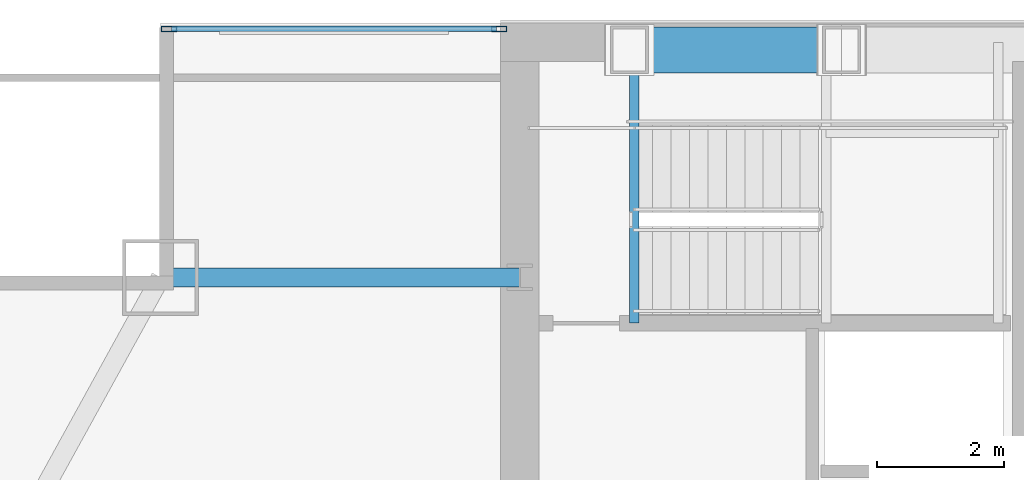
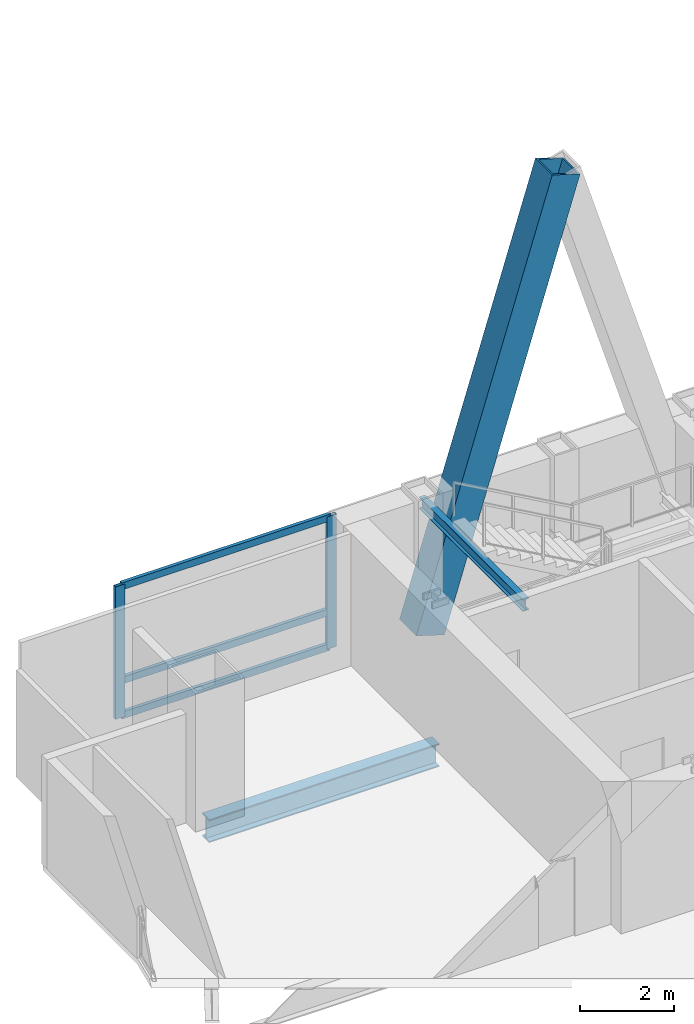
# One storey, part 23 of 32: 6 members, 2 beams, 1 element without a shape of its own.
"""IFC4 building model written with IfcOpenShell, lengths in metres."""

from ifc_helpers import new_model, si_unit, direction, frame, origin, origin_2d, place, context, subcontext, project, spatial, hollow_rectangle, i_section, extrude, material, material_profile, profile_set, type_object, element, aggregate, save


model = new_model("IFC4")

# Units and contexts
model_context = context("Model", 3, precision=1e-05, world=origin(), true_north=direction((0.0, 1.0)))
body_context = subcontext(model_context, "Body", "Model", "MODEL_VIEW")
ifc_project = project(units=[si_unit("LENGTHUNIT", "METRE"), si_unit("AREAUNIT", "SQUARE_METRE"), si_unit("VOLUMEUNIT", "CUBIC_METRE"), si_unit("PLANEANGLEUNIT", "RADIAN"), si_unit("MASSUNIT", "GRAM", prefix="KILO")], contexts=[model_context])

# Site, building, storey
site_placement = place(None, origin())
site = spatial("IfcSite", under=ifc_project, at=site_placement, CompositionType="ELEMENT")
building_placement = place(site_placement, origin())
building = spatial("IfcBuilding", under=site, at=building_placement, Name="Khoronbel Lancet Exchange", CompositionType="ELEMENT")
storey_placement = place(building_placement, frame((0.0, 0.0, 221.0)))
storey = spatial("IfcBuildingStorey", under=building, at=storey_placement, Name="L56", CompositionType="ELEMENT", Elevation=221.0)

# Beams
ifc_material_1 = material(Name="Steel S355", Category="steel")
ifc_material_profile_1 = material_profile(ifc_material_1, i_section(OverallWidth=0.14990234375, OverallDepth=0.300048828125, WebThickness=0.007080078125, FlangeThickness=0.0107421875, at=origin_2d()), Name="IPE 300")
ifc_profile_set_1 = profile_set([ifc_material_profile_1], Name="Steel S355")
beam_type_1 = type_object("IfcBeamType", Name="BM-BJ8", PredefinedType="JOIST", material=ifc_profile_set_1)
beam_1_placement = place(storey_placement, frame((18.300048828125, 48.97998046875, 3.159912109375), z_axis=(0.0, 1.0, 0.0), x_axis=(-1.0, 0.0, 0.0)))
element("IfcBeam", 1, at=beam_1_placement, inside=storey, type_object=beam_type_1, Name="Level L56 stair ST1 upper-flight arrival trimmer beam", PredefinedType="JOIST", context=body_context, shape_type="SweptSolid", body=[
    extrude(i_section(OverallWidth=0.14990234375, OverallDepth=0.300048828125, WebThickness=0.007080078125, FlangeThickness=0.0107421875, at=origin_2d()), origin(), (0.0, 0.0, 1.0), 4.419921875),
])
ifc_material_profile_2 = material_profile(ifc_material_1, i_section(OverallWidth=0.300048828125, OverallDepth=0.60009765625, WebThickness=0.015380859375, FlangeThickness=0.030029296875, at=origin_2d()), Name="HEB 600")
ifc_profile_set_2 = profile_set([ifc_material_profile_2], Name="Steel S355")
beam_type_2 = type_object("IfcBeamType", Name="BM-BSP2", PredefinedType="SPANDREL", material=ifc_profile_set_2)
beam_2_placement = place(storey_placement, frame((10.85009765625, 49.699951171875, -0.4599609375), z_axis=(1.0, 0.0, 0.0), x_axis=(0.0, 1.0, 0.0)))
element("IfcBeam", 2, at=beam_2_placement, inside=storey, type_object=beam_type_2, Name="Level L56 north flank tie spandrel SP22", PredefinedType="SPANDREL", context=body_context, shape_type="SweptSolid", body=[
    extrude(i_section(OverallWidth=0.300048828125, OverallDepth=0.60009765625, WebThickness=0.015380859375, FlangeThickness=0.030029296875, at=origin_2d()), origin(), (0.0, 0.0, 1.0), 5.64990234375),
])

# Curtain wall, members
ifc_material_2 = material(Name="Low-E Solar Control Insulating Glass", Category="glass")
curtain_wall_type = type_object("IfcCurtainWallType", Name="CW-3", PredefinedType="NOTDEFINED", material=ifc_material_2)
curtain_wall_placement = place(storey_placement, origin())
curtain_wall = element("IfcCurtainWall", 3, at=curtain_wall_placement, inside=storey, type_object=curtain_wall_type, Name="Unitised curtain wall CW-L56-NWFLK", PredefinedType="NOTDEFINED")
ifc_material_3 = material(Name="Bronze-Anodised Aluminium 6063-T6", Category="aluminium")
ifc_material_profile_3 = material_profile(ifc_material_3, hollow_rectangle(XDim=0.0849609375, YDim=0.239990234375, WallThickness=0.006103515625, at=origin_2d()), Name="ALU MULLION 85x240")
ifc_profile_set_3 = profile_set([ifc_material_profile_3], Name="Bronze-Anodised Aluminium 6063-T6")
member_type_1 = type_object("IfcMemberType", Name="MEM-CWM1", PredefinedType="MULLION", material=ifc_profile_set_3)
member_1_placement = place(storey_placement, frame((16.177490234375, 53.610107421875, 0.0), z_axis=(0.0, 0.0, 1.0), x_axis=(0.0, -1.0, 0.0)))
member_1 = element("IfcMember", 4, at=member_1_placement, type_object=member_type_1, Name="CW3 mullion 1", PredefinedType="MULLION", context=body_context, shape_type="SweptSolid", body=[
    extrude(hollow_rectangle(XDim=0.0849609375, YDim=0.239990234375, WallThickness=0.006103515625, at=origin_2d()), origin(), (0.0, 0.0, 1.0), 3.43994140625),
])
member_2_placement = place(storey_placement, frame((10.982421875, 53.610107421875, 0.0), z_axis=(0.0, 0.0, 1.0), x_axis=(0.0, -1.0, 0.0)))
member_2 = element("IfcMember", 5, at=member_2_placement, type_object=member_type_1, Name="CW3 mullion 2", PredefinedType="MULLION", context=body_context, shape_type="SweptSolid", body=[
    extrude(hollow_rectangle(XDim=0.0849609375, YDim=0.239990234375, WallThickness=0.006103515625, at=origin_2d()), origin(), (0.0, 0.0, 1.0), 3.43994140625),
])
ifc_material_profile_4 = material_profile(ifc_material_3, hollow_rectangle(XDim=0.0849609375, YDim=0.179931640625, WallThickness=0.0048828125, at=origin_2d()), Name="ALU TRANSOM 85x180")
ifc_profile_set_4 = profile_set([ifc_material_profile_4], Name="Bronze-Anodised Aluminium 6063-T6")
member_type_2 = type_object("IfcMemberType", Name="MEM-CWT1", PredefinedType="USERDEFINED", material=ifc_profile_set_4)
member_3_placement = place(storey_placement, frame((16.135009765625, 53.610107421875, 0.04248046875), z_axis=(-1.0, 0.0, 0.0), x_axis=(0.0, -1.0, 0.0)))
member_3 = element("IfcMember", 6, at=member_3_placement, type_object=member_type_2, Name="CW3 transom 1.1", ObjectType="TRANSOM", PredefinedType="USERDEFINED", context=body_context, shape_type="SweptSolid", body=[
    extrude(hollow_rectangle(XDim=0.0849609375, YDim=0.179931640625, WallThickness=0.0048828125, at=origin_2d()), origin(), (0.0, 0.0, 1.0), 5.110107421875),
])
member_4_placement = place(storey_placement, frame((16.135009765625, 53.610107421875, 0.949951171875), z_axis=(-1.0, 0.0, 0.0), x_axis=(0.0, -1.0, 0.0)))
member_4 = element("IfcMember", 7, at=member_4_placement, type_object=member_type_2, Name="CW3 transom 1.2", ObjectType="TRANSOM", PredefinedType="USERDEFINED", context=body_context, shape_type="SweptSolid", body=[
    extrude(hollow_rectangle(XDim=0.0849609375, YDim=0.179931640625, WallThickness=0.0048828125, at=origin_2d()), origin(), (0.0, 0.0, 1.0), 5.110107421875),
])
member_5_placement = place(storey_placement, frame((16.135009765625, 53.610107421875, 3.3974609375), z_axis=(-1.0, 0.0, 0.0), x_axis=(0.0, -1.0, 0.0)))
member_5 = element("IfcMember", 8, at=member_5_placement, type_object=member_type_2, Name="CW3 transom 1.3", ObjectType="TRANSOM", PredefinedType="USERDEFINED", context=body_context, shape_type="SweptSolid", body=[
    extrude(hollow_rectangle(XDim=0.0849609375, YDim=0.179931640625, WallThickness=0.0048828125, at=origin_2d()), origin(), (0.0, 0.0, 1.0), 5.110107421875),
])
aggregate(curtain_wall, [member_1, member_2, member_3, member_4, member_5])

# Member
ifc_material_4 = material(Name="Steel S460", Category="steel")
ifc_material_profile_5 = material_profile(ifc_material_4, hollow_rectangle(XDim=0.719970703125, YDim=0.719970703125, WallThickness=0.050048828125, at=origin_2d()), Name="BOX 720x720x50")
ifc_profile_set_5 = profile_set([ifc_material_profile_5], Name="Steel S460")
member_type_3 = type_object("IfcMemberType", Name="MEM-MB2", PredefinedType="BRACE", material=ifc_profile_set_5)
member_6_placement = place(storey_placement, frame((18.22509765625, 53.280029296875, 0.0), z_axis=(0.295242108906, 0.0, 0.955422470496), x_axis=(0.0, 1.0, 0.0)))
element("IfcMember", 9, at=member_6_placement, inside=storey, type_object=member_type_3, Name="Perimeter lancet brace tier 19 N-W-L", PredefinedType="BRACE", context=body_context, shape_type="SweptSolid", body=[
    extrude(hollow_rectangle(XDim=0.719970703125, YDim=0.719970703125, WallThickness=0.050048828125, at=origin_2d()), origin(), (0.0, 0.0, 1.0), 11.303955078125),
])

save(model, "model.ifc")
